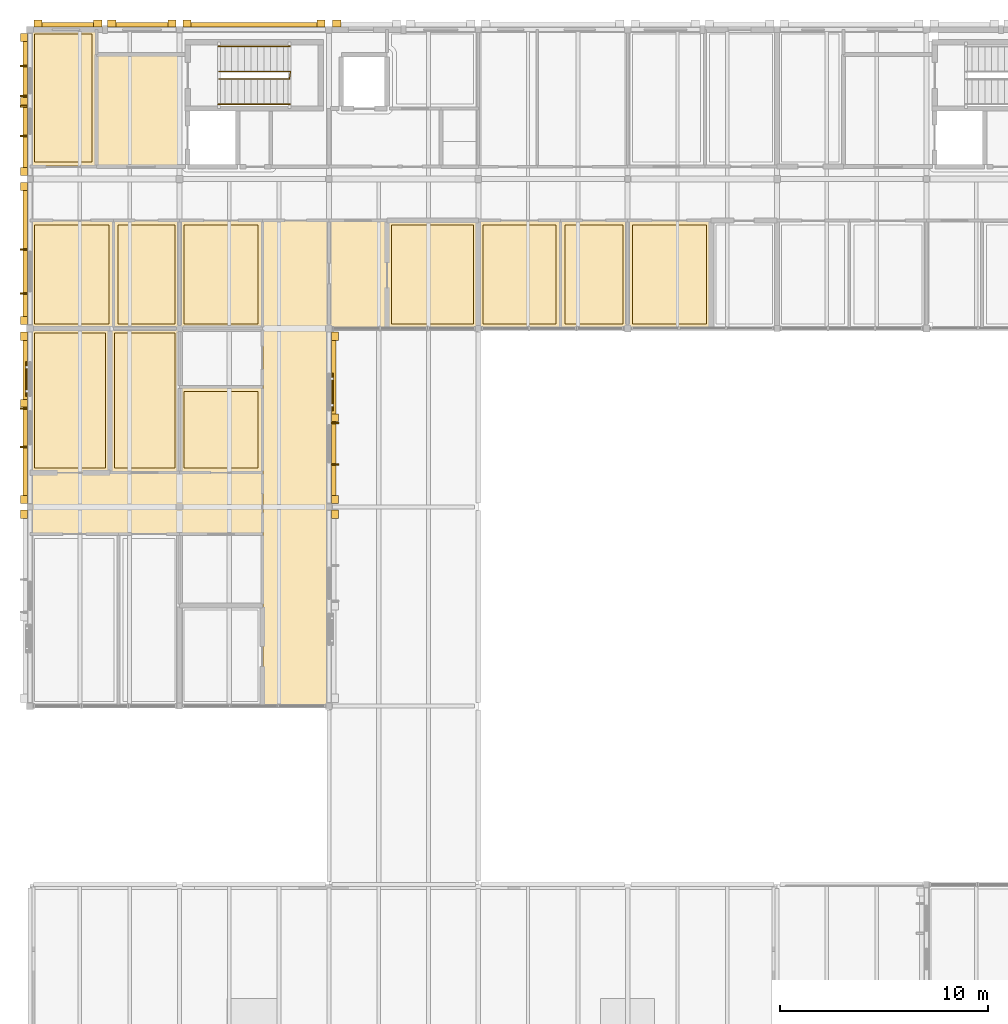
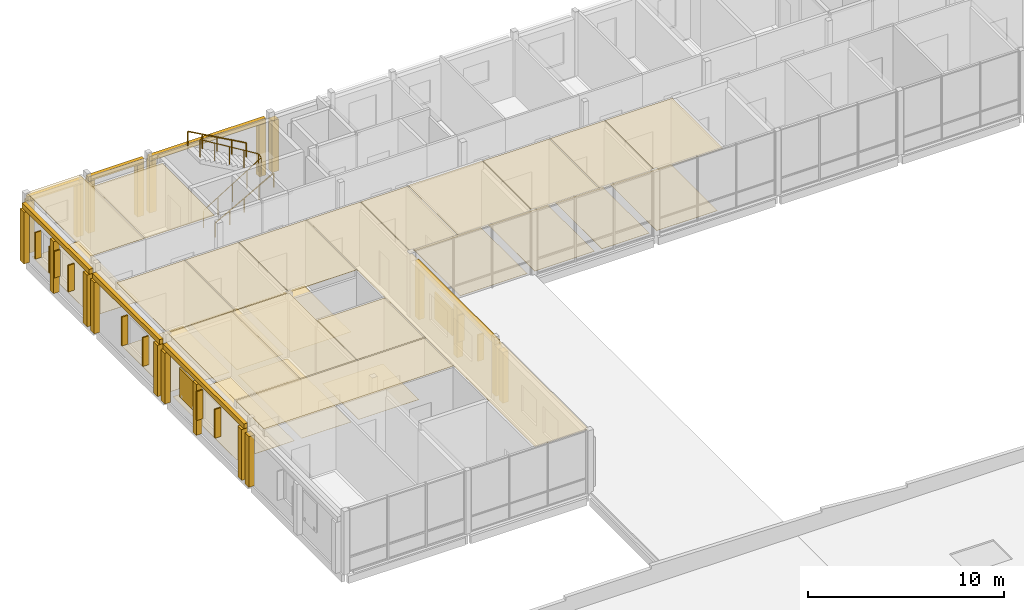
# One storey, part 52 of 57: 53 coverings, 12 shading devices, 3 railings.
"""IFC4 building model written with IfcOpenShell, lengths in metres."""

from ifc_helpers import new_model, si_unit, direction, frame, origin, origin_2d, place, context, subcontext, project, spatial, polyline, rectangle, circle, outline, extrude, material, layer, layer_set, type_object, element, save


model = new_model("IFC4")

# Units and contexts
model_context = context("Model", 3, precision=1e-05, world=origin(), true_north=direction((0.0, 1.0)))
body_context = subcontext(model_context, "Body", "Model", "MODEL_VIEW")
ifc_project = project(units=[si_unit("LENGTHUNIT", "METRE"), si_unit("AREAUNIT", "SQUARE_METRE"), si_unit("VOLUMEUNIT", "CUBIC_METRE"), si_unit("PLANEANGLEUNIT", "RADIAN"), si_unit("MASSUNIT", "GRAM", prefix="KILO")], contexts=[model_context])

# Site, building, storey
site_placement = place(None, origin())
site = spatial("IfcSite", under=ifc_project, at=site_placement, CompositionType="ELEMENT")
building_placement = place(site_placement, origin())
building = spatial("IfcBuilding", under=site, at=building_placement, Name="Hawrajan Terrace Health Centre", CompositionType="ELEMENT")
storey_placement = place(building_placement, frame((0.0, 0.0, 13.199951171875)))
storey = spatial("IfcBuildingStorey", under=building, at=storey_placement, Name="L03", CompositionType="ELEMENT", Elevation=13.199951171875)

# Coverings
ifc_material_1 = material(Name="Precast concrete C40/50", Category="concrete")
ifc_layer_1 = layer(ifc_material_1, 0.219970703125)
ifc_layer_set_1 = layer_set([ifc_layer_1], Name="Precast concrete C40/50")
covering_type_1 = type_object("IfcCoveringType", Name="ArtDecoCorniceBand", PredefinedType="CLADDING", material=ifc_layer_set_1)
covering_1_placement = place(storey_placement, frame((4.364990234375, 41.090087890625, 3.18017578125), z_axis=(0.0, 0.0, 1.0), x_axis=(0.0, 1.0, 0.0)))
element("IfcCovering", 1, at=covering_1_placement, inside=storey, type_object=covering_type_1, Name="Art Deco limestone cornice band CRN-L03-0155", PredefinedType="CLADDING", context=body_context, shape_type="SweptSolid", body=[
    extrude(rectangle(XDim=8.260009765625, YDim=0.219970703125, at=origin_2d()), origin(), (0.0, 0.0, 1.0), 0.300048828125),
])
covering_2_placement = place(storey_placement, frame((4.364990234375, 49.010009765625, 3.2099609375), z_axis=(0.0, 0.0, 1.0), x_axis=(0.0, 1.0, 0.0)))
element("IfcCovering", 2, at=covering_2_placement, inside=storey, type_object=covering_type_1, Name="Art Deco limestone cornice band CRN-L03-0156", PredefinedType="CLADDING", context=body_context, shape_type="SweptSolid", body=[
    extrude(rectangle(XDim=6.860107421875, YDim=0.219970703125, at=origin_2d()), origin(), (0.0, 0.0, 1.0), 0.300048828125),
])
covering_3_placement = place(storey_placement, frame((6.419921875, 60.034912109375, 3.240234375), z_axis=(0.0, 0.0, 1.0), x_axis=(1.0, 0.0, 0.0)))
element("IfcCovering", 3, at=covering_3_placement, inside=storey, type_object=covering_type_1, Name="Art Deco limestone cornice band CRN-L03-0157", PredefinedType="CLADDING", context=body_context, shape_type="SweptSolid", body=[
    extrude(rectangle(XDim=3.280029296875, YDim=0.219970703125, at=origin_2d()), origin(), (0.0, 0.0, 1.0), 0.300048828125),
])
covering_4_placement = place(storey_placement, frame((9.989990234375, 60.034912109375, 3.240234375), z_axis=(0.0, 0.0, 1.0), x_axis=(1.0, 0.0, 0.0)))
element("IfcCovering", 4, at=covering_4_placement, inside=storey, type_object=covering_type_1, Name="Art Deco limestone cornice band CRN-L03-0158", PredefinedType="CLADDING", context=body_context, shape_type="SweptSolid", body=[
    extrude(rectangle(XDim=3.300048828125, YDim=0.219970703125, at=origin_2d()), origin(), (0.0, 0.0, 1.0), 0.300048828125),
])
covering_5_placement = place(storey_placement, frame((4.364990234375, 56.18994140625, 3.240234375), z_axis=(0.0, 0.0, 1.0), x_axis=(0.0, 1.0, 0.0)))
element("IfcCovering", 5, at=covering_5_placement, inside=storey, type_object=covering_type_1, Name="Art Deco limestone cornice band CRN-L03-0159", PredefinedType="CLADDING", context=body_context, shape_type="SweptSolid", body=[
    extrude(rectangle(XDim=6.860107421875, YDim=0.219970703125, at=origin_2d()), origin(), (0.0, 0.0, 1.0), 0.300048828125),
])
covering_6_placement = place(storey_placement, frame((19.235107421875, 41.090087890625, 3.18017578125), z_axis=(0.0, 0.0, 1.0), x_axis=(0.0, 1.0, 0.0)))
element("IfcCovering", 6, at=covering_6_placement, inside=storey, type_object=covering_type_1, Name="Art Deco limestone cornice band CRN-L03-0161", PredefinedType="CLADDING", context=body_context, shape_type="SweptSolid", body=[
    extrude(rectangle(XDim=8.260009765625, YDim=0.219970703125, at=origin_2d()), origin(), (0.0, 0.0, 1.0), 0.300048828125),
])
covering_7_placement = place(storey_placement, frame((15.389892578125, 60.034912109375, 3.240234375), z_axis=(0.0, 0.0, 1.0), x_axis=(1.0, 0.0, 0.0)))
element("IfcCovering", 7, at=covering_7_placement, inside=storey, type_object=covering_type_1, Name="Art Deco limestone cornice band CRN-L03-0162", PredefinedType="CLADDING", context=body_context, shape_type="SweptSolid", body=[
    extrude(rectangle(XDim=6.860107421875, YDim=0.219970703125, at=origin_2d()), origin(), (0.0, 0.0, 1.0), 0.300048828125),
])
ifc_layer_2 = layer(ifc_material_1, 0.340087890625)
ifc_layer_set_2 = layer_set([ifc_layer_2], Name="Precast concrete C40/50")
covering_type_2 = type_object("IfcCoveringType", Name="ArtDecoStonePilaster", PredefinedType="CLADDING", material=ifc_layer_set_2)
for number, where, z_axis, x_axis, name in (
    (8, (4.304931640625, 36.43994140625, 0.0), (0.0, 0.0, 1.0), (0.0, 1.0, 0.0), "Art Deco fluted limestone pilaster FPIL-L03-0300"),
    (9, (4.304931640625, 37.159912109375, 0.0), (0.0, 0.0, 1.0), (0.0, 1.0, 0.0), "Art Deco fluted limestone pilaster FPIL-L03-0302"),
    (10, (4.304931640625, 45.02001953125, 0.0), (0.0, 0.0, 1.0), (0.0, 1.0, 0.0), "Art Deco fluted limestone pilaster FPIL-L03-0303"),
):
    element("IfcCovering", number, at=place(storey_placement, frame(where, z_axis=z_axis, x_axis=x_axis)), inside=storey, type_object=covering_type_2, Name=name, PredefinedType="CLADDING", context=body_context, shape_type="SweptSolid", body=[
        extrude(rectangle(XDim=0.39990234375, YDim=0.340087890625, at=origin_2d()), origin(), (0.0, 0.0, 1.0), 3.169921875),
    ])
covering_8_placement = place(storey_placement, frame((4.304931640625, 41.784912109375, 0.0), z_axis=(0.0, 0.0, 1.0), x_axis=(0.0, 1.0, 0.0)))
element("IfcCovering", 11, at=covering_8_placement, inside=storey, type_object=covering_type_2, Name="Art Deco mullion pilaster FPIL-L03-0304", PredefinedType="CLADDING", context=body_context, shape_type="SweptSolid", body=[
    extrude(rectangle(XDim=0.360107421875, YDim=0.340087890625, at=origin_2d()), origin(), (0.0, 0.0, 1.0), 3.169921875),
])
for number, where, z_axis, x_axis, name in (
    (12, (4.304931640625, 45.780029296875, 0.0), (0.0, 0.0, 1.0), (0.0, 1.0, 0.0), "Art Deco fluted limestone pilaster FPIL-L03-0305"),
    (13, (4.304931640625, 52.239990234375, 0.0), (0.0, 0.0, 1.0), (0.0, 1.0, 0.0), "Art Deco fluted limestone pilaster FPIL-L03-0306"),
):
    element("IfcCovering", number, at=place(storey_placement, frame(where, z_axis=z_axis, x_axis=x_axis)), inside=storey, type_object=covering_type_2, Name=name, PredefinedType="CLADDING", context=body_context, shape_type="SweptSolid", body=[
        extrude(rectangle(XDim=0.39990234375, YDim=0.340087890625, at=origin_2d()), origin(), (0.0, 0.0, 1.0), 3.199951171875),
    ])
for number, where, z_axis, x_axis, name in (
    (14, (4.97998046875, 60.094970703125, 0.0), (0.0, 0.0, 1.0), (1.0, 0.0, 0.0), "Art Deco fluted limestone pilaster FPIL-L03-0307"),
    (15, (7.860107421875, 60.094970703125, 0.0), (0.0, 0.0, 1.0), (1.0, 0.0, 0.0), "Art Deco fluted limestone pilaster FPIL-L03-0308"),
    (16, (8.5400390625, 60.094970703125, 0.0), (0.0, 0.0, 1.0), (1.0, 0.0, 0.0), "Art Deco fluted limestone pilaster FPIL-L03-0309"),
    (17, (11.43994140625, 60.094970703125, 0.0), (0.0, 0.0, 1.0), (1.0, 0.0, 0.0), "Art Deco fluted limestone pilaster FPIL-L03-0310"),
    (18, (4.304931640625, 52.9599609375, 0.0), (0.0, 0.0, 1.0), (0.0, 1.0, 0.0), "Art Deco fluted limestone pilaster FPIL-L03-0311"),
    (19, (4.304931640625, 59.419921875, 0.0), (0.0, 0.0, 1.0), (0.0, 1.0, 0.0), "Art Deco fluted limestone pilaster FPIL-L03-0312"),
):
    element("IfcCovering", number, at=place(storey_placement, frame(where, z_axis=z_axis, x_axis=x_axis)), inside=storey, type_object=covering_type_2, Name=name, PredefinedType="CLADDING", context=body_context, shape_type="SweptSolid", body=[
        extrude(rectangle(XDim=0.39990234375, YDim=0.340087890625, at=origin_2d()), origin(), (0.0, 0.0, 1.0), 3.22998046875),
    ])
covering_9_placement = place(storey_placement, frame((4.304931640625, 56.360107421875, 0.0), z_axis=(0.0, 0.0, 1.0), x_axis=(0.0, 1.0, 0.0)))
element("IfcCovering", 20, at=covering_9_placement, inside=storey, type_object=covering_type_2, Name="Art Deco mullion pilaster FPIL-L03-0313", PredefinedType="CLADDING", context=body_context, shape_type="SweptSolid", body=[
    extrude(rectangle(XDim=0.360107421875, YDim=0.340087890625, at=origin_2d()), origin(), (0.0, 0.0, 1.0), 3.22998046875),
])
for number, where, z_axis, x_axis, name in (
    (21, (19.294921875, 36.43994140625, 0.0), (0.0, 0.0, 1.0), (0.0, 1.0, 0.0), "Art Deco fluted limestone pilaster FPIL-L03-0315"),
    (22, (19.294921875, 37.159912109375, 0.0), (0.0, 0.0, 1.0), (0.0, 1.0, 0.0), "Art Deco fluted limestone pilaster FPIL-L03-0317"),
    (23, (19.294921875, 45.02001953125, 0.0), (0.0, 0.0, 1.0), (0.0, 1.0, 0.0), "Art Deco fluted limestone pilaster FPIL-L03-0318"),
):
    element("IfcCovering", number, at=place(storey_placement, frame(where, z_axis=z_axis, x_axis=x_axis)), inside=storey, type_object=covering_type_2, Name=name, PredefinedType="CLADDING", context=body_context, shape_type="SweptSolid", body=[
        extrude(rectangle(XDim=0.39990234375, YDim=0.340087890625, at=origin_2d()), origin(), (0.0, 0.0, 1.0), 3.169921875),
    ])
covering_10_placement = place(storey_placement, frame((19.294921875, 41.090087890625, 0.0), z_axis=(0.0, 0.0, 1.0), x_axis=(0.0, 1.0, 0.0)))
element("IfcCovering", 24, at=covering_10_placement, inside=storey, type_object=covering_type_2, Name="Art Deco mullion pilaster FPIL-L03-0319", PredefinedType="CLADDING", context=body_context, shape_type="SweptSolid", body=[
    extrude(rectangle(XDim=0.360107421875, YDim=0.340087890625, at=origin_2d()), origin(), (0.0, 0.0, 1.0), 3.169921875),
])
for number, where, z_axis, x_axis, name in (
    (25, (12.159912109375, 60.094970703125, 0.0), (0.0, 0.0, 1.0), (1.0, 0.0, 0.0), "Art Deco fluted limestone pilaster FPIL-L03-0320"),
    (26, (18.6201171875, 60.094970703125, 0.0), (0.0, 0.0, 1.0), (1.0, 0.0, 0.0), "Art Deco fluted limestone pilaster FPIL-L03-0321"),
    (27, (19.3798828125, 60.094970703125, 0.0), (0.0, 0.0, 1.0), (1.0, 0.0, 0.0), "Art Deco fluted limestone pilaster FPIL-L03-0322"),
):
    element("IfcCovering", number, at=place(storey_placement, frame(where, z_axis=z_axis, x_axis=x_axis)), inside=storey, type_object=covering_type_2, Name=name, PredefinedType="CLADDING", context=body_context, shape_type="SweptSolid", body=[
        extrude(rectangle(XDim=0.39990234375, YDim=0.340087890625, at=origin_2d()), origin(), (0.0, 0.0, 1.0), 3.22998046875),
    ])
ifc_material_2 = material(Name="Hygienic mineral-fibre acoustic tile ceiling")
ifc_layer_3 = layer(ifc_material_2, 0.02490234375)
ifc_layer_set_3 = layer_set([ifc_layer_3], Name="Hygienic mineral-fibre acoustic tile ceiling")
covering_type_3 = type_object("IfcCoveringType", Name="ClinicalAcousticCeiling_25", PredefinedType="CEILING", material=ifc_layer_set_3)
covering_11_placement = place(storey_placement, frame((0.0, 0.0, 3.93505859375)))
element("IfcCovering", 28, at=covering_11_placement, inside=storey, type_object=covering_type_3, Name="Suspended ceiling L03-012", PredefinedType="CEILING", context=body_context, shape_type="SweptSolid", body=[
    extrude(outline(polyline([(7.820068359375, 53.219970703125), (7.820068359375, 58.580078125), (11.929931640625, 58.580078125), (11.929931640625, 53.219970703125), (7.820068359375, 53.219970703125)])), origin(), (0.0, 0.0, 1.0), 0.02490234375),
])
covering_12_placement = place(storey_placement, frame((0.0, 0.0, 3.905029296875)))
element("IfcCovering", 29, at=covering_12_placement, inside=storey, type_object=covering_type_3, Name="Suspended ceiling L03-017", PredefinedType="CEILING", context=body_context, shape_type="SweptSolid", body=[
    extrude(outline(polyline([(15.820068359375, 50.580078125), (18.97998046875, 50.580078125), (18.97998046875, 27.219970703125), (15.820068359375, 27.219970703125), (15.820068359375, 50.580078125)])), origin(), (0.0, 0.0, 1.0), 0.02490234375),
])
covering_13_placement = place(storey_placement, frame((0.0, 0.0, 3.905029296875)))
element("IfcCovering", 30, at=covering_13_placement, inside=storey, type_object=covering_type_3, Name="Suspended ceiling L03-018", PredefinedType="CEILING", context=body_context, shape_type="SweptSolid", body=[
    extrude(outline(polyline([(4.6201171875, 38.429931640625), (15.780029296875, 38.429931640625), (15.780029296875, 35.52001953125), (4.6201171875, 35.52001953125), (4.6201171875, 38.429931640625)])), origin(), (0.0, 0.0, 1.0), 0.02490234375),
])
covering_14_placement = place(storey_placement, frame((0.0, 0.0, 3.905029296875)))
element("IfcCovering", 31, at=covering_14_placement, inside=storey, type_object=covering_type_3, Name="Suspended ceiling L03-022", PredefinedType="CEILING", context=body_context, shape_type="SweptSolid", body=[
    extrude(outline(polyline([(19.02001953125, 50.580078125), (21.780029296875, 50.580078125), (21.780029296875, 45.419921875), (19.02001953125, 45.419921875), (19.02001953125, 50.580078125)])), origin(), (0.0, 0.0, 1.0), 0.02490234375),
])
covering_15_placement = place(storey_placement, frame((0.0, 0.0, 3.905029296875)))
element("IfcCovering", 32, at=covering_15_placement, inside=storey, type_object=covering_type_3, Name="Suspended ceiling L03-030", PredefinedType="CEILING", context=body_context, shape_type="SweptSolid", body=[
    extrude(outline(polyline([(4.6201171875, 45.3798828125), (8.4248046875, 45.3798828125), (8.4248046875, 38.469970703125), (4.6201171875, 38.469970703125), (4.6201171875, 45.3798828125)])), origin(), (0.0, 0.0, 1.0), 0.02490234375),
])
covering_16_placement = place(storey_placement, frame((0.0, 0.0, 3.905029296875)))
element("IfcCovering", 33, at=covering_16_placement, inside=storey, type_object=covering_type_3, Name="Suspended ceiling L03-031", PredefinedType="CEILING", context=body_context, shape_type="SweptSolid", body=[
    extrude(outline(polyline([(8.46484375, 45.3798828125), (11.780029296875, 45.3798828125), (11.780029296875, 38.469970703125), (8.46484375, 38.469970703125), (8.46484375, 45.3798828125)])), origin(), (0.0, 0.0, 1.0), 0.02490234375),
])
covering_17_placement = place(storey_placement, frame((0.0, 0.0, 3.905029296875)))
element("IfcCovering", 34, at=covering_17_placement, inside=storey, type_object=covering_type_3, Name="Suspended ceiling L03-032", PredefinedType="CEILING", context=body_context, shape_type="SweptSolid", body=[
    extrude(outline(polyline([(4.6201171875, 50.580078125), (8.604736328125, 50.580078125), (8.604736328125, 45.419921875), (4.6201171875, 45.419921875), (4.6201171875, 50.580078125)])), origin(), (0.0, 0.0, 1.0), 0.02490234375),
])
covering_18_placement = place(storey_placement, frame((0.0, 0.0, 3.905029296875)))
element("IfcCovering", 35, at=covering_18_placement, inside=storey, type_object=covering_type_3, Name="Suspended ceiling L03-033", PredefinedType="CEILING", context=body_context, shape_type="SweptSolid", body=[
    extrude(outline(polyline([(8.644775390625, 50.580078125), (11.780029296875, 50.580078125), (11.780029296875, 45.419921875), (8.644775390625, 45.419921875), (8.644775390625, 50.580078125)])), origin(), (0.0, 0.0, 1.0), 0.02490234375),
])
covering_19_placement = place(storey_placement, frame((0.0, 0.0, 3.93505859375)))
element("IfcCovering", 36, at=covering_19_placement, inside=storey, type_object=covering_type_3, Name="Suspended ceiling L03-034", PredefinedType="CEILING", context=body_context, shape_type="SweptSolid", body=[
    extrude(outline(polyline([(4.6201171875, 59.780029296875), (7.780029296875, 59.780029296875), (7.780029296875, 53.219970703125), (4.6201171875, 53.219970703125), (4.6201171875, 59.780029296875)])), origin(), (0.0, 0.0, 1.0), 0.02490234375),
])
covering_20_placement = place(storey_placement, frame((0.0, 0.0, 3.905029296875)))
element("IfcCovering", 37, at=covering_20_placement, inside=storey, type_object=covering_type_3, Name="Suspended ceiling L03-037", PredefinedType="CEILING", context=body_context, shape_type="SweptSolid", body=[
    extrude(outline(polyline([(11.820068359375, 42.551513671875), (15.780029296875, 42.551513671875), (15.780029296875, 38.469970703125), (11.820068359375, 38.469970703125), (11.820068359375, 42.551513671875)])), origin(), (0.0, 0.0, 1.0), 0.02490234375),
])
covering_21_placement = place(storey_placement, frame((0.0, 0.0, 3.905029296875)))
element("IfcCovering", 38, at=covering_21_placement, inside=storey, type_object=covering_type_3, Name="Suspended ceiling L03-039", PredefinedType="CEILING", context=body_context, shape_type="SweptSolid", body=[
    extrude(outline(polyline([(11.820068359375, 50.580078125), (15.780029296875, 50.580078125), (15.780029296875, 45.419921875), (11.820068359375, 45.419921875), (11.820068359375, 50.580078125)])), origin(), (0.0, 0.0, 1.0), 0.02490234375),
])
covering_22_placement = place(storey_placement, frame((0.0, 0.0, 3.93505859375)))
element("IfcCovering", 39, at=covering_22_placement, inside=storey, type_object=covering_type_3, Name="Suspended ceiling L03-040", PredefinedType="CEILING", context=body_context, shape_type="SweptSolid", body=[
    extrude(outline(polyline([(21.820068359375, 50.580078125), (26.179931640625, 50.580078125), (26.179931640625, 45.419921875), (21.820068359375, 45.419921875), (21.820068359375, 50.580078125)])), origin(), (0.0, 0.0, 1.0), 0.02490234375),
])
covering_23_placement = place(storey_placement, frame((0.0, 0.0, 3.93505859375)))
element("IfcCovering", 40, at=covering_23_placement, inside=storey, type_object=covering_type_3, Name="Suspended ceiling L03-042", PredefinedType="CEILING", context=body_context, shape_type="SweptSolid", body=[
    extrude(outline(polyline([(26.219970703125, 50.580078125), (30.147216796875, 50.580078125), (30.147216796875, 45.419921875), (26.219970703125, 45.419921875), (26.219970703125, 50.580078125)])), origin(), (0.0, 0.0, 1.0), 0.02490234375),
])
covering_24_placement = place(storey_placement, frame((0.0, 0.0, 3.93505859375)))
element("IfcCovering", 41, at=covering_24_placement, inside=storey, type_object=covering_type_3, Name="Suspended ceiling L03-043", PredefinedType="CEILING", context=body_context, shape_type="SweptSolid", body=[
    extrude(outline(polyline([(30.187255859375, 50.580078125), (33.3798828125, 50.580078125), (33.3798828125, 45.419921875), (30.187255859375, 45.419921875), (30.187255859375, 50.580078125)])), origin(), (0.0, 0.0, 1.0), 0.02490234375),
])
covering_25_placement = place(storey_placement, frame((0.0, 0.0, 3.93505859375)))
element("IfcCovering", 42, at=covering_25_placement, inside=storey, type_object=covering_type_3, Name="Suspended ceiling L03-044", PredefinedType="CEILING", context=body_context, shape_type="SweptSolid", body=[
    extrude(outline(polyline([(33.419921875, 50.580078125), (37.40478515625, 50.580078125), (37.40478515625, 45.419921875), (33.419921875, 45.419921875), (33.419921875, 50.580078125)])), origin(), (0.0, 0.0, 1.0), 0.02490234375),
])
ifc_material_3 = material(Name="Seamless medical-grade cushioned vinyl flooring")
ifc_layer_4 = layer(ifc_material_3, 0.011962890625)
ifc_layer_set_4 = layer_set([ifc_layer_4], Name="Seamless medical-grade cushioned vinyl flooring")
covering_type_4 = type_object("IfcCoveringType", Name="ClinicalVinylFlooring_12", PredefinedType="FLOORING", material=ifc_layer_set_4)
covering_26_placement = place(storey_placement, origin())
element("IfcCovering", 43, at=covering_26_placement, inside=storey, type_object=covering_type_4, Name="Floor finish L03-030", PredefinedType="FLOORING", context=body_context, shape_type="SweptSolid", body=[
    extrude(outline(polyline([(4.820068359375, 45.179931640625), (8.224853515625, 45.179931640625), (8.224853515625, 38.669921875), (4.820068359375, 38.669921875), (4.820068359375, 45.179931640625)])), origin(), (0.0, 0.0, 1.0), 0.011962890625),
])
covering_27_placement = place(storey_placement, origin())
element("IfcCovering", 44, at=covering_27_placement, inside=storey, type_object=covering_type_4, Name="Floor finish L03-031", PredefinedType="FLOORING", context=body_context, shape_type="SweptSolid", body=[
    extrude(outline(polyline([(8.664794921875, 45.179931640625), (11.580078125, 45.179931640625), (11.580078125, 38.669921875), (8.664794921875, 38.669921875), (8.664794921875, 45.179931640625)])), origin(), (0.0, 0.0, 1.0), 0.011962890625),
])
covering_28_placement = place(storey_placement, origin())
element("IfcCovering", 45, at=covering_28_placement, inside=storey, type_object=covering_type_4, Name="Floor finish L03-032", PredefinedType="FLOORING", context=body_context, shape_type="SweptSolid", body=[
    extrude(outline(polyline([(4.820068359375, 50.3798828125), (8.40478515625, 50.3798828125), (8.40478515625, 45.6201171875), (4.820068359375, 45.6201171875), (4.820068359375, 50.3798828125)])), origin(), (0.0, 0.0, 1.0), 0.011962890625),
])
covering_29_placement = place(storey_placement, origin())
element("IfcCovering", 46, at=covering_29_placement, inside=storey, type_object=covering_type_4, Name="Floor finish L03-033", PredefinedType="FLOORING", context=body_context, shape_type="SweptSolid", body=[
    extrude(outline(polyline([(8.8447265625, 50.3798828125), (11.580078125, 50.3798828125), (11.580078125, 45.6201171875), (8.8447265625, 45.6201171875), (8.8447265625, 50.3798828125)])), origin(), (0.0, 0.0, 1.0), 0.011962890625),
])
covering_30_placement = place(storey_placement, origin())
element("IfcCovering", 47, at=covering_30_placement, inside=storey, type_object=covering_type_4, Name="Floor finish L03-034", PredefinedType="FLOORING", context=body_context, shape_type="SweptSolid", body=[
    extrude(outline(polyline([(4.820068359375, 59.580078125), (7.580078125, 59.580078125), (7.580078125, 53.419921875), (4.820068359375, 53.419921875), (4.820068359375, 59.580078125)])), origin(), (0.0, 0.0, 1.0), 0.011962890625),
])
covering_31_placement = place(storey_placement, origin())
element("IfcCovering", 48, at=covering_31_placement, inside=storey, type_object=covering_type_4, Name="Floor finish L03-037", PredefinedType="FLOORING", context=body_context, shape_type="SweptSolid", body=[
    extrude(outline(polyline([(12.02001953125, 42.351318359375), (15.580078125, 42.351318359375), (15.580078125, 38.669921875), (12.02001953125, 38.669921875), (12.02001953125, 42.351318359375)])), origin(), (0.0, 0.0, 1.0), 0.011962890625),
])
covering_32_placement = place(storey_placement, origin())
element("IfcCovering", 49, at=covering_32_placement, inside=storey, type_object=covering_type_4, Name="Floor finish L03-039", PredefinedType="FLOORING", context=body_context, shape_type="SweptSolid", body=[
    extrude(outline(polyline([(12.02001953125, 50.3798828125), (15.580078125, 50.3798828125), (15.580078125, 45.6201171875), (12.02001953125, 45.6201171875), (12.02001953125, 50.3798828125)])), origin(), (0.0, 0.0, 1.0), 0.011962890625),
])
covering_33_placement = place(storey_placement, origin())
element("IfcCovering", 50, at=covering_33_placement, inside=storey, type_object=covering_type_4, Name="Floor finish L03-040", PredefinedType="FLOORING", context=body_context, shape_type="SweptSolid", body=[
    extrude(outline(polyline([(22.02001953125, 50.3798828125), (25.97998046875, 50.3798828125), (25.97998046875, 45.6201171875), (22.02001953125, 45.6201171875), (22.02001953125, 50.3798828125)])), origin(), (0.0, 0.0, 1.0), 0.011962890625),
])
covering_34_placement = place(storey_placement, origin())
element("IfcCovering", 51, at=covering_34_placement, inside=storey, type_object=covering_type_4, Name="Floor finish L03-042", PredefinedType="FLOORING", context=body_context, shape_type="SweptSolid", body=[
    extrude(outline(polyline([(26.419921875, 50.3798828125), (29.947265625, 50.3798828125), (29.947265625, 45.6201171875), (26.419921875, 45.6201171875), (26.419921875, 50.3798828125)])), origin(), (0.0, 0.0, 1.0), 0.011962890625),
])
covering_35_placement = place(storey_placement, origin())
element("IfcCovering", 52, at=covering_35_placement, inside=storey, type_object=covering_type_4, Name="Floor finish L03-043", PredefinedType="FLOORING", context=body_context, shape_type="SweptSolid", body=[
    extrude(outline(polyline([(30.38720703125, 50.3798828125), (33.179931640625, 50.3798828125), (33.179931640625, 45.6201171875), (30.38720703125, 45.6201171875), (30.38720703125, 50.3798828125)])), origin(), (0.0, 0.0, 1.0), 0.011962890625),
])
covering_36_placement = place(storey_placement, origin())
element("IfcCovering", 53, at=covering_36_placement, inside=storey, type_object=covering_type_4, Name="Floor finish L03-044", PredefinedType="FLOORING", context=body_context, shape_type="SweptSolid", body=[
    extrude(outline(polyline([(33.6201171875, 50.3798828125), (37.204833984375, 50.3798828125), (37.204833984375, 45.6201171875), (33.6201171875, 45.6201171875), (33.6201171875, 50.3798828125)])), origin(), (0.0, 0.0, 1.0), 0.011962890625),
])

# Shading devices
ifc_material_4 = material(Name="Anodized bronze mashrabiya vertical solar fin")
ifc_layer_5 = layer(ifc_material_4, 0.080078125)
ifc_layer_set_5 = layer_set([ifc_layer_5], Name="Anodized bronze mashrabiya vertical solar fin")
shading_device_type_1 = type_object("IfcShadingDeviceType", Name="MashrabiyaVerticalFin", PredefinedType="USERDEFINED", material=ifc_layer_set_5)
for number, where, z_axis, x_axis, name in (
    (54, (4.294921875, 39.695068359375, 1.0), (0.0, 0.0, 1.0), (0.0, 1.0, 0.0), "Bronze mashrabiya solar fin FIN-L03-0205"),
    (55, (4.294921875, 41.534912109375, 1.0), (0.0, 0.0, 1.0), (0.0, 1.0, 0.0), "Bronze mashrabiya solar fin FIN-L03-0206"),
    (56, (4.294921875, 47.080078125, 1.0), (0.0, 0.0, 1.0), (0.0, 1.0, 0.0), "Bronze mashrabiya solar fin FIN-L03-0208"),
    (57, (4.294921875, 49.199951171875, 1.0), (0.0, 0.0, 1.0), (0.0, 1.0, 0.0), "Bronze mashrabiya solar fin FIN-L03-0209"),
):
    element("IfcShadingDevice", number, at=place(storey_placement, frame(where, z_axis=z_axis, x_axis=x_axis)), inside=storey, type_object=shading_device_type_1, Name=name, ObjectType="SOLAR_FIN", PredefinedType="USERDEFINED", context=body_context, shape_type="SweptSolid", body=[
        extrude(rectangle(XDim=0.080078125, YDim=0.360107421875, at=origin_2d()), origin(), (0.0, 0.0, 1.0), 1.800048828125),
    ])
for number, where, z_axis, x_axis, name in (
    (58, (4.294921875, 54.669921875, 1.050048828125), (0.0, 0.0, 1.0), (0.0, 1.0, 0.0), "Bronze mashrabiya solar fin FIN-L03-0210"),
    (59, (4.294921875, 56.110107421875, 1.050048828125), (0.0, 0.0, 1.0), (0.0, 1.0, 0.0), "Bronze mashrabiya solar fin FIN-L03-0211"),
    (60, (4.294921875, 56.610107421875, 1.050048828125), (0.0, 0.0, 1.0), (0.0, 1.0, 0.0), "Bronze mashrabiya solar fin FIN-L03-0212"),
    (61, (4.294921875, 58.050048828125, 1.050048828125), (0.0, 0.0, 1.0), (0.0, 1.0, 0.0), "Bronze mashrabiya solar fin FIN-L03-0213"),
    (62, (19.304931640625, 38.840087890625, 1.050048828125), (0.0, 0.0, 1.0), (0.0, 1.0, 0.0), "Bronze mashrabiya solar fin FIN-L03-0217"),
    (63, (19.304931640625, 40.840087890625, 1.050048828125), (0.0, 0.0, 1.0), (0.0, 1.0, 0.0), "Bronze mashrabiya solar fin FIN-L03-0218"),
):
    element("IfcShadingDevice", number, at=place(storey_placement, frame(where, z_axis=z_axis, x_axis=x_axis)), inside=storey, type_object=shading_device_type_1, Name=name, ObjectType="SOLAR_FIN", PredefinedType="USERDEFINED", context=body_context, shape_type="SweptSolid", body=[
        extrude(rectangle(XDim=0.080078125, YDim=0.360107421875, at=origin_2d()), origin(), (0.0, 0.0, 1.0), 1.64990234375),
    ])
ifc_material_5 = material(Name="Anodized bronze and cedar roshan lattice")
ifc_layer_6 = layer(ifc_material_5, 0.080078125)
ifc_layer_set_6 = layer_set([ifc_layer_6], Name="Anodized bronze and cedar roshan lattice")
shading_device_type_2 = type_object("IfcShadingDeviceType", Name="RoshanScreen_BronzeCedar", PredefinedType="JALOUSIE", material=ifc_layer_set_6)
shading_device_1_placement = place(storey_placement, frame((4.429931640625, 42.955078125, 1.0), z_axis=(0.0, 0.0, 1.0), x_axis=(0.0, 1.0, 0.0)))
element("IfcShadingDevice", 64, at=shading_device_1_placement, inside=storey, type_object=shading_device_type_2, Name="Hijazi roshan solar screen RSH-L03-207", PredefinedType="JALOUSIE", context=body_context, shape_type="SweptSolid", body=[
    extrude(rectangle(XDim=1.659912109375, YDim=0.080078125, at=origin_2d()), origin(), (0.0, 0.0, 1.0), 1.800048828125),
])
shading_device_2_placement = place(storey_placement, frame((19.169921875, 42.340087890625, 1.050048828125), z_axis=(0.0, 0.0, 1.0), x_axis=(0.0, 1.0, 0.0)))
element("IfcShadingDevice", 65, at=shading_device_2_placement, inside=storey, type_object=shading_device_type_2, Name="Hijazi roshan solar screen RSH-L03-219", PredefinedType="JALOUSIE", context=body_context, shape_type="SweptSolid", body=[
    extrude(rectangle(XDim=1.820068359375, YDim=0.080078125, at=origin_2d()), origin(), (0.0, 0.0, 1.0), 1.64990234375),
])

# Railings
ifc_material_6 = material(Name="Brushed stainless steel tubular handrail", Category="steel")
railing_type_1 = type_object("IfcRailingType", Name="StairHandrail_900", PredefinedType="HANDRAIL", material=ifc_material_6)
railing_1_placement = place(storey_placement, frame((13.675048828125, 56.199951171875, 0.175048828125)))
element("IfcRailing", 66, at=railing_1_placement, inside=storey, type_object=railing_type_1, Name="Stair handrail ST-1-L03-H1", PredefinedType="HANDRAIL", context=body_context, shape_type="SweptSolid", body=[
    extrude(circle(Radius=0.02392578125, at=origin_2d()), frame((0.025146484375, 0.0, 0.889892578125), z_axis=(0.873252128816, 0.0, 0.487268631782), x_axis=(0.0, 1.0, 0.0)), (0.0, 0.0, 1.0), 3.89306640625),
    extrude(circle(Radius=0.02099609375, at=origin_2d()), origin(), (0.0, 0.0, 1.0), 0.846923828125),
    extrude(circle(Radius=0.02099609375, at=origin_2d()), frame((0.862548828125, 0.0, 0.481201171875)), (0.0, 0.0, 1.0), 0.846923828125),
    extrude(circle(Radius=0.02099609375, at=origin_2d()), frame((1.72509765625, 0.0, 0.96240234375)), (0.0, 0.0, 1.0), 0.846923828125),
    extrude(circle(Radius=0.02099609375, at=origin_2d()), frame((2.58740234375, 0.0, 1.44384765625)), (0.0, 0.0, 1.0), 0.846923828125),
    extrude(circle(Radius=0.02099609375, at=origin_2d()), frame((3.449951171875, 0.0, 1.925048828125)), (0.0, 0.0, 1.0), 0.846923828125),
])
railing_2_placement = place(storey_placement, frame((17.125, 59.0, 2.275146484375)))
element("IfcRailing", 67, at=railing_2_placement, inside=storey, type_object=railing_type_1, Name="Stair handrail ST-1-L03-H2", PredefinedType="HANDRAIL", context=body_context, shape_type="SweptSolid", body=[
    extrude(circle(Radius=0.02392578125, at=origin_2d()), frame((-0.025146484375, 0.0, 0.889892578125), z_axis=(-0.873278423438, 0.0, 0.487221505229), x_axis=(0.0, -1.0, 0.0)), (0.0, 0.0, 1.0), 3.892822265625),
    extrude(circle(Radius=0.02099609375, at=origin_2d()), origin(), (0.0, 0.0, 1.0), 0.846923828125),
    extrude(circle(Radius=0.02099609375, at=origin_2d()), frame((-0.862548828125, 0.0, 0.481201171875)), (0.0, 0.0, 1.0), 0.846923828125),
    extrude(circle(Radius=0.02099609375, at=origin_2d()), frame((-1.72509765625, 0.0, 0.96240234375)), (0.0, 0.0, 1.0), 0.846923828125),
    extrude(circle(Radius=0.02099609375, at=origin_2d()), frame((-2.58740234375, 0.0, 1.443603515625)), (0.0, 0.0, 1.0), 0.846923828125),
    extrude(circle(Radius=0.02099609375, at=origin_2d()), frame((-3.449951171875, 0.0, 1.9248046875)), (0.0, 0.0, 1.0), 0.846923828125),
])
ifc_material_7 = material(Name="Painted steel stair well guard", Category="steel")
railing_type_2 = type_object("IfcRailingType", Name="StairWellGuard_1120", PredefinedType="GUARDRAIL", material=ifc_material_7)
railing_3_placement = place(storey_placement, frame((13.699951171875, 57.419921875, 0.0)))
element("IfcRailing", 68, at=railing_3_placement, inside=storey, type_object=railing_type_2, Name="Stair well guard ST-1-L03-G1", PredefinedType="GUARDRAIL", context=body_context, shape_type="SweptSolid", body=[
    extrude(circle(Radius=0.02392578125, at=origin_2d()), frame((0.024658203125, 0.0, 1.111328125), z_axis=(0.850797194049, 0.0, 0.525494181317), x_axis=(0.0, 1.0, 0.0)), (0.0, 0.0, 1.0), 3.938720703125),
    extrude(circle(Radius=0.02392578125, at=origin_2d()), frame((3.404052734375, 0.028564453125, 3.1962890625), z_axis=(0.137000993654, 0.99057091, 0.0), x_axis=(-0.99057091, 0.137000993654, 0.0)), (0.0, 0.0, 1.0), 0.305908203125),
    extrude(circle(Radius=0.02392578125, at=origin_2d()), frame((3.42529296875, 0.360107421875, 3.211181640625), z_axis=(-0.854211395654, 0.0, 0.519925851958), x_axis=(0.0, -1.0, 0.0)), (0.0, 0.0, 1.0), 3.98095703125),
    extrude(circle(Radius=0.02099609375, at=origin_2d()), origin(), (0.0, 0.0, 1.0), 1.067138671875),
    extrude(circle(Radius=0.02099609375, at=origin_2d()), frame((0.85009765625, 0.0, 0.52490234375)), (0.0, 0.0, 1.0), 1.067138671875),
    extrude(circle(Radius=0.02099609375, at=origin_2d()), frame((1.7001953125, 0.0, 1.050048828125)), (0.0, 0.0, 1.0), 1.067138671875),
    extrude(circle(Radius=0.02099609375, at=origin_2d()), frame((2.550048828125, 0.0, 1.5751953125)), (0.0, 0.0, 1.0), 1.067138671875),
    extrude(circle(Radius=0.02099609375, at=origin_2d()), frame((3.400146484375, 0.0, 2.10009765625)), (0.0, 0.0, 1.0), 1.067138671875),
    extrude(circle(Radius=0.02099609375, at=origin_2d()), frame((3.449951171875, 0.360107421875, 2.10009765625)), (0.0, 0.0, 1.0), 1.067138671875),
    extrude(circle(Radius=0.02099609375, at=origin_2d()), frame((2.58740234375, 0.360107421875, 2.625)), (0.0, 0.0, 1.0), 1.067138671875),
    extrude(circle(Radius=0.02099609375, at=origin_2d()), frame((1.72509765625, 0.360107421875, 3.14990234375)), (0.0, 0.0, 1.0), 1.067138671875),
    extrude(circle(Radius=0.02099609375, at=origin_2d()), frame((0.862548828125, 0.360107421875, 3.675048828125)), (0.0, 0.0, 1.0), 1.067138671875),
    extrude(circle(Radius=0.02099609375, at=origin_2d()), frame((0.0, 0.360107421875, 4.199951171875)), (0.0, 0.0, 1.0), 1.067138671875),
])

save(model, "model.ifc")
